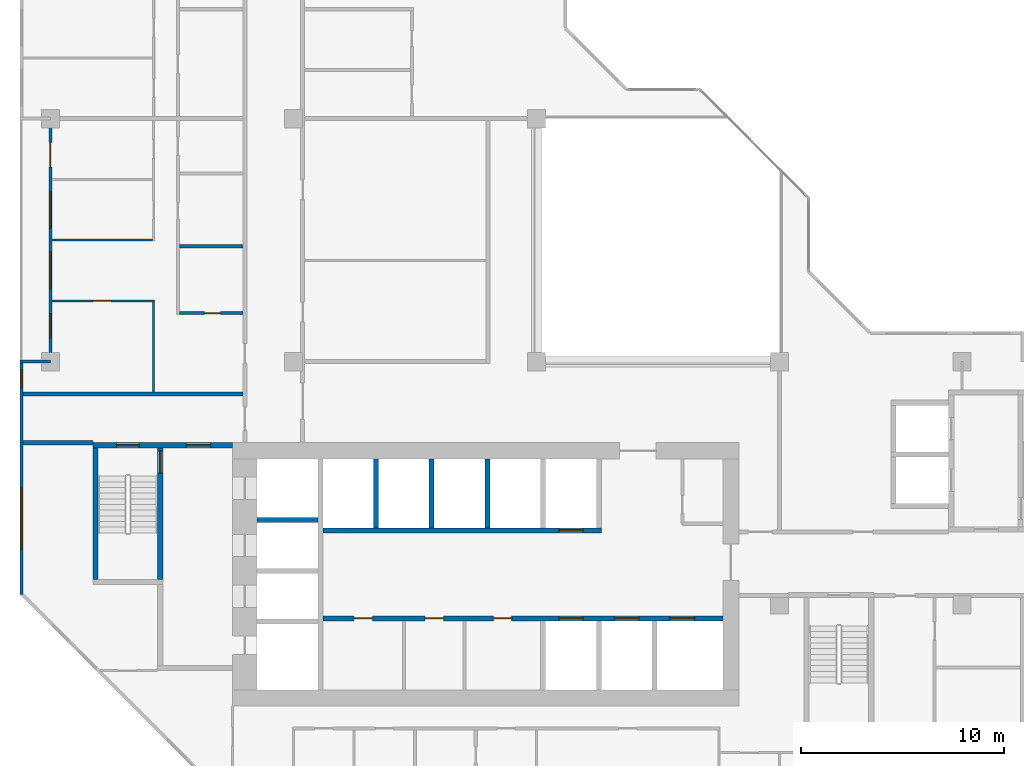
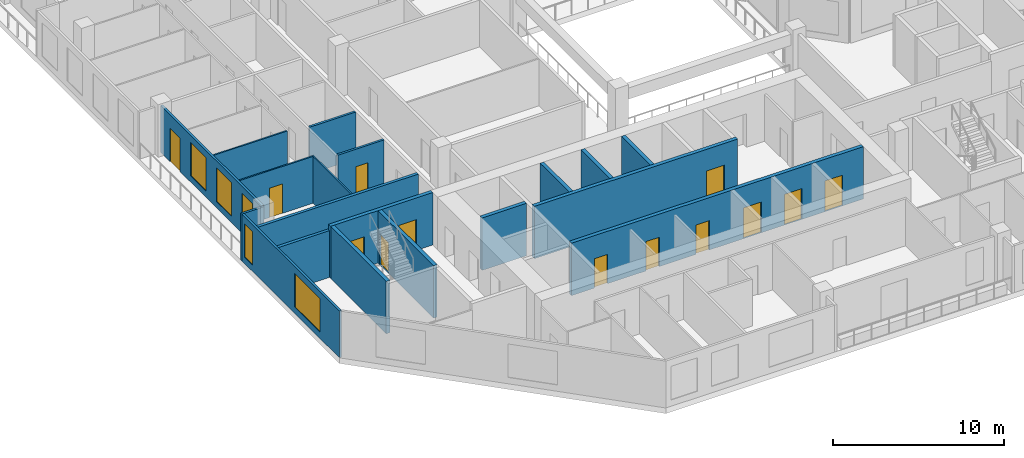
# One storey, part 5 of 15: 19 walls, 13 doors, 5 windows, 18 openings.
"""IFC4 building model written with IfcOpenShell, lengths in metres."""

import ifcopenshell
import ifcopenshell.guid

model = None  # the IFC model being written
_history = None  # IfcOwnerHistory: only IFC2X3 demands one
_inside = {}  # id of a spatial element -> (the spatial element, [elements in it])
_under = {}  # id of a project, library or spatial element -> (it, [spatial elements below it])
_declared = {}  # id of a project -> (the project, [libraries it declares])
_typed = {}  # id of a type object -> (the type object, [elements of that type])
_made_of = {}  # id of a material, layer set ... -> (it, [elements and type objects made of it])


def new_model(schema):
    """Start an empty IFC model of exactly this schema.

    Asked for "IFC4X3", IfcOpenShell would pick the latest addendum, in which some entities
    have other attributes; the version numbers below select the first issue.
    IFC2X3 requires an IfcOwnerHistory on every rooted entity: one is made here for all.
    """
    global model, _history
    if schema == "IFC4X3":
        model = ifcopenshell.file(schema_version=(4, 3, 0, 0))
    else:
        model = ifcopenshell.file(schema=schema)
    _inside.clear()
    _under.clear()
    _declared.clear()
    _typed.clear()
    _made_of.clear()
    _history = None
    if model.schema == "IFC2X3":
        org = make("IfcOrganization", Name="unknown")
        user = make(
            "IfcPersonAndOrganization",
            ThePerson=make("IfcPerson", FamilyName="unknown"),
            TheOrganization=org,
        )
        app = make(
            "IfcApplication",
            ApplicationDeveloper=org,
            Version="unknown",
            ApplicationFullName="unknown",
            ApplicationIdentifier="unknown",
        )
        _history = make(
            "IfcOwnerHistory",
            OwningUser=user,
            OwningApplication=app,
            ChangeAction="ADDED",
            CreationDate=0,
        )
    return model


def make(cls, **values):
    """One entity of the class cls with the attributes given. An attribute that is None is left unset."""
    return model.create_entity(
        cls, **{name: value for name, value in values.items() if value is not None}
    )


def rooted(cls, **values):
    """An entity with a GlobalId (a new one), such as an element, a storey or a relation."""
    return make(cls, GlobalId=ifcopenshell.guid.new(), OwnerHistory=_history, **values)


def si_unit(unit_type, name, prefix=None):
    """IfcSIUnit, for example si_unit("LENGTHUNIT", "METRE", prefix="MILLI")."""
    return make("IfcSIUnit", UnitType=unit_type, Prefix=prefix, Name=name)


def assignment(units):
    """IfcUnitAssignment: the units of a project."""
    return None if units is None else make("IfcUnitAssignment", Units=units)


def point(xyz):
    """IfcCartesianPoint."""
    return None if xyz is None else make("IfcCartesianPoint", Coordinates=xyz)


def direction(xyz):
    """IfcDirection."""
    return None if xyz is None else make("IfcDirection", DirectionRatios=xyz)


def frame(location, z_axis=None, x_axis=None):
    """IfcAxis2Placement3D, a coordinate frame: its origin and axes. An axis left out is left unset."""
    return make(
        "IfcAxis2Placement3D",
        Location=point(location),
        Axis=direction(z_axis),
        RefDirection=direction(x_axis),
    )


def frame_2d(location, x_axis=None):
    """IfcAxis2Placement2D, a coordinate frame in the plane: its origin and x axis."""
    return make(
        "IfcAxis2Placement2D", Location=point(location), RefDirection=direction(x_axis)
    )


def origin():
    """The frame at (0, 0, 0) with its axes left unset."""
    return frame((0.0, 0.0, 0.0))


def place(relative_to, where):
    """IfcLocalPlacement: puts the frame where relative to a parent placement (None: the world)."""
    return make(
        "IfcLocalPlacement", PlacementRelTo=relative_to, RelativePlacement=where
    )


def context(
    kind, dimensions, precision=None, world=None, true_north=None, identifier=None
):
    """IfcGeometricRepresentationContext, for example the 3D "Model" context."""
    return make(
        "IfcGeometricRepresentationContext",
        ContextIdentifier=identifier,
        ContextType=kind,
        CoordinateSpaceDimension=dimensions,
        Precision=precision,
        WorldCoordinateSystem=world,
        TrueNorth=true_north,
    )


def subcontext(parent, identifier, kind, view, scale=None):
    """IfcGeometricRepresentationSubContext, for example "Body" below "Model"."""
    return make(
        "IfcGeometricRepresentationSubContext",
        ContextIdentifier=identifier,
        ContextType=kind,
        ParentContext=parent,
        TargetScale=scale,
        TargetView=view,
    )


def project(units=None, contexts=None):
    """IfcProject with its units and contexts."""
    return rooted(
        "IfcProject",
        Name="project",
        RepresentationContexts=contexts,
        UnitsInContext=assignment(units),
    )


def spatial(cls, under=None, at=None, **own):
    """A site, building, storey or space (cls), placed at a placement, below another one or the project."""
    s = rooted(cls, ObjectPlacement=at, **own)
    if under is not None:
        _under.setdefault(under.id(), (under, []))[1].append(s)
    return s


def profile(cls, at=None, kind="AREA", **sizes):
    """A parametric profile (cls). Its sizes go by their IFC names, for example OverallWidth=200.0."""
    return make(cls, ProfileType=kind, Position=at, **sizes)


def rectangle(**sizes):
    """IfcRectangleProfileDef."""
    return profile("IfcRectangleProfileDef", **sizes)


def extrude(swept, where, along, depth):
    """IfcExtrudedAreaSolid: the profile swept, set in the frame where, extruded along a direction by depth."""
    return make(
        "IfcExtrudedAreaSolid",
        SweptArea=swept,
        Position=where,
        ExtrudedDirection=direction(along),
        Depth=depth,
    )


def shape(context_of_items, identifier, shape_type, items):
    """IfcShapeRepresentation: the items that make up one representation, for example the "Body"."""
    return make(
        "IfcShapeRepresentation",
        ContextOfItems=context_of_items,
        RepresentationIdentifier=identifier,
        RepresentationType=shape_type,
        Items=items,
    )


def material(Name=None, Category=None):
    """IfcMaterial."""
    return make("IfcMaterial", Name=Name, Category=Category)


def layer(
    of_material, thickness, ventilated=None, Name=None, Category=None, Priority=None
):
    """IfcMaterialLayer: one layer of a wall or slab, of a material (None: an air gap)."""
    return make(
        "IfcMaterialLayer",
        Material=of_material,
        LayerThickness=thickness,
        IsVentilated=ventilated,
        Name=Name,
        Category=Category,
        Priority=Priority,
    )


def layer_set(layers, Name=None):
    """IfcMaterialLayerSet."""
    return make("IfcMaterialLayerSet", MaterialLayers=layers, LayerSetName=Name)


def made_of(thing, what):
    """Note that an element or type object is made of a material, layer set ...; save() writes the relation."""
    if what is not None:
        _made_of.setdefault(what.id(), (what, []))[1].append(thing)
    return thing


def type_object(cls, material=None, **own):
    """A type object (cls), such as IfcWallType, which elements share."""
    return made_of(rooted(cls, **own), material)


def element(
    cls,
    number,
    at=None,
    inside=None,
    cuts=None,
    type_object=None,
    material=None,
    context=None,
    identifier="Body",
    shape_type=None,
    held_by="IfcProductDefinitionShape",
    body=None,
    shapes=None,
    **own,
):
    """One element of the class cls, such as IfcWall. Its Tag is "e" and its number.

    at: its placement. inside: the storey or other place that contains it. cuts: it is an
    opening in that element (IfcRelVoidsElement). A single representation is given by context,
    identifier, shape_type and body (its items); several are given by shapes. held_by: the class
    of the entity that holds the representations. save() writes the other relations.
    """
    e = rooted(cls, Tag="e%d" % number, ObjectPlacement=at, **own)
    if body is not None:
        shapes = [shape(context, identifier, shape_type, body)]
    if shapes is not None:
        e.Representation = make(held_by, Representations=shapes)
    if inside is not None:
        _inside.setdefault(inside.id(), (inside, []))[1].append(e)
    if cuts is not None:
        rooted(
            "IfcRelVoidsElement", RelatingBuildingElement=cuts, RelatedOpeningElement=e
        )
    if type_object is not None:
        _typed.setdefault(type_object.id(), (type_object, []))[1].append(e)
    return made_of(e, material)


def fill(opening, filler):
    """IfcRelFillsElement: the door or window that sits in an opening."""
    return rooted(
        "IfcRelFillsElement",
        RelatingOpeningElement=opening,
        RelatedBuildingElement=filler,
    )


def aggregate(whole, parts):
    """IfcRelAggregates: a whole, such as a stair, and the parts it consists of."""
    return rooted("IfcRelAggregates", RelatingObject=whole, RelatedObjects=parts)


def save(model, path):
    """Write the relations noted so far, then the file.

    IfcRelAggregates (storeys below a building ...), IfcRelContainedInSpatialStructure (elements
    in a storey), IfcRelDefinesByType, IfcRelAssociatesMaterial and IfcRelDeclares: one each for
    every whole, place, type object, material and project.
    """
    for whole, parts in _under.values():
        aggregate(whole, parts)
    for where, things in _inside.values():
        rooted(
            "IfcRelContainedInSpatialStructure",
            RelatedElements=things,
            RelatingStructure=where,
        )
    for kind, things in _typed.values():
        rooted("IfcRelDefinesByType", RelatedObjects=things, RelatingType=kind)
    for what, things in _made_of.values():
        rooted("IfcRelAssociatesMaterial", RelatedObjects=things, RelatingMaterial=what)
    for by, libraries in _declared.values():
        rooted("IfcRelDeclares", RelatingContext=by, RelatedDefinitions=libraries)
    model.write(path)


model = new_model("IFC4")

# Units and contexts
model_context = context("Model", 3, precision=1e-05, world=origin(), true_north=direction((0.0, 1.0)))
body_context = subcontext(model_context, "Body", "Model", "MODEL_VIEW")
ifc_project = project(units=[si_unit("LENGTHUNIT", "METRE"), si_unit("AREAUNIT", "SQUARE_METRE"), si_unit("VOLUMEUNIT", "CUBIC_METRE"), si_unit("PLANEANGLEUNIT", "RADIAN"), si_unit("MASSUNIT", "GRAM", prefix="KILO")], contexts=[model_context])

# Site, building, storey
site_placement = place(None, origin())
site = spatial("IfcSite", under=ifc_project, at=site_placement, CompositionType="ELEMENT")
building_placement = place(site_placement, origin())
building = spatial("IfcBuilding", under=site, at=building_placement, Name="Chenar Terraces", CompositionType="ELEMENT")
storey_placement = place(building_placement, frame((0.0, 0.0, 176.14990234375)))
storey = spatial("IfcBuildingStorey", under=building, at=storey_placement, Name="L40", CompositionType="ELEMENT", Elevation=176.14990234375)

# Wall, openings, doors
ifc_material_1 = material(Name="Concrete C60/75", Category="concrete")
ifc_layer_1 = layer(ifc_material_1, 0.25)
ifc_layer_set_1 = layer_set([ifc_layer_1], Name="Concrete C60/75")
wall_type_1 = type_object("IfcWallType", Name="Core wall 250 Concrete C60/75", PredefinedType="SHEAR", material=ifc_layer_set_1)
wall_1_placement = place(storey_placement, frame((13.449951171875, 11.324951171875, 0.0), z_axis=(0.0, 0.0, 1.0), x_axis=(1.0, 0.0, 0.0)))
wall_1 = element("IfcWall", 1, at=wall_1_placement, inside=storey, type_object=wall_type_1, Name="Core wall SF L40", PredefinedType="SHEAR", context=body_context, shape_type="SweptSolid", body=[
    extrude(rectangle(XDim=19.75, YDim=0.25, at=frame_2d((9.875, 0.0))), origin(), (0.0, 0.0, 1.0), 3.75),
])
opening_1_placement = place(wall_1_placement, frame((11.64990234375, 0.0, 0.0)))
opening_1 = element("IfcOpeningElement", 2, at=opening_1_placement, cuts=wall_1, Name="Opening DL40-LD1", PredefinedType="OPENING", context=body_context, shape_type="SweptSolid", body=[
    extrude(rectangle(XDim=1.199951171875, YDim=2.199951171875, at=frame_2d((0.60009765625, 1.10009765625))), frame((0.0, 0.135009765625, 0.0), z_axis=(0.0, -1.0, 0.0), x_axis=(1.0, 0.0, 0.0)), (0.0, 0.0, 1.0), 0.27001953125),
])
opening_2_placement = place(wall_1_placement, frame((14.39990234375, 0.0, 0.0)))
opening_2 = element("IfcOpeningElement", 3, at=opening_2_placement, cuts=wall_1, Name="Opening DL40-LD2", PredefinedType="OPENING", context=body_context, shape_type="SweptSolid", body=[
    extrude(rectangle(XDim=1.199951171875, YDim=2.199951171875, at=frame_2d((0.60009765625, 1.10009765625))), frame((0.0, 0.135009765625, 0.0), z_axis=(0.0, -1.0, 0.0), x_axis=(1.0, 0.0, 0.0)), (0.0, 0.0, 1.0), 0.27001953125),
])
opening_3_placement = place(wall_1_placement, frame((17.14990234375, 0.0, 0.0)))
opening_3 = element("IfcOpeningElement", 4, at=opening_3_placement, cuts=wall_1, Name="Opening DL40-LD3", PredefinedType="OPENING", context=body_context, shape_type="SweptSolid", body=[
    extrude(rectangle(XDim=1.199951171875, YDim=2.199951171875, at=frame_2d((0.60009765625, 1.10009765625))), frame((0.0, 0.135009765625, 0.0), z_axis=(0.0, -1.0, 0.0), x_axis=(1.0, 0.0, 0.0)), (0.0, 0.0, 1.0), 0.27001953125),
])
opening_4_placement = place(wall_1_placement, frame((1.550048828125, 0.0, 0.0)))
opening_4 = element("IfcOpeningElement", 5, at=opening_4_placement, cuts=wall_1, Name="Opening DL40-C12", PredefinedType="OPENING", context=body_context, shape_type="SweptSolid", body=[
    extrude(rectangle(XDim=0.89990234375, YDim=2.10009765625, at=frame_2d((0.449951171875, 1.050048828125))), frame((0.0, 0.135009765625, 0.0), z_axis=(0.0, -1.0, 0.0), x_axis=(1.0, 0.0, 0.0)), (0.0, 0.0, 1.0), 0.27001953125),
])
opening_5_placement = place(wall_1_placement, frame((5.050048828125, 0.0, 0.0)))
opening_5 = element("IfcOpeningElement", 6, at=opening_5_placement, cuts=wall_1, Name="Opening DL40-C13", PredefinedType="OPENING", context=body_context, shape_type="SweptSolid", body=[
    extrude(rectangle(XDim=0.89990234375, YDim=2.10009765625, at=frame_2d((0.449951171875, 1.050048828125))), frame((0.0, 0.135009765625, 0.0), z_axis=(0.0, -1.0, 0.0), x_axis=(1.0, 0.0, 0.0)), (0.0, 0.0, 1.0), 0.27001953125),
])
opening_6_placement = place(wall_1_placement, frame((8.425048828125, 0.0, 0.0)))
opening_6 = element("IfcOpeningElement", 7, at=opening_6_placement, cuts=wall_1, Name="Opening DL40-C14", PredefinedType="OPENING", context=body_context, shape_type="SweptSolid", body=[
    extrude(rectangle(XDim=0.89990234375, YDim=2.10009765625, at=frame_2d((0.449951171875, 1.050048828125))), frame((0.0, 0.135009765625, 0.0), z_axis=(0.0, -1.0, 0.0), x_axis=(1.0, 0.0, 0.0)), (0.0, 0.0, 1.0), 0.27001953125),
])
ifc_material_2 = material(Name="Stainless steel", Category="steel")
door_type_1 = type_object("IfcDoorType", Name="Lift landing door 1200 x 2200 sliding", OperationType="DOUBLE_DOOR_SLIDING", PredefinedType="DOOR", material=ifc_material_2)
door_1_placement = place(opening_1_placement, origin())
door_1 = element("IfcDoor", 8, at=door_1_placement, inside=storey, type_object=door_type_1, Name="Landing door M1", OperationType="DOUBLE_DOOR_SLIDING", OverallHeight=2.199951171875, OverallWidth=1.199951171875, PredefinedType="DOOR", context=body_context, shape_type="SweptSolid", body=[
    extrude(rectangle(XDim=1.199951171875, YDim=2.199951171875, at=frame_2d((0.60009765625, 1.10009765625))), frame((0.0, 0.02490234375, 0.0), z_axis=(0.0, -1.0, 0.0), x_axis=(1.0, 0.0, 0.0)), (0.0, 0.0, 1.0), 0.050048828125),
])
fill(opening_1, door_1)
door_2_placement = place(opening_2_placement, origin())
door_2 = element("IfcDoor", 9, at=door_2_placement, inside=storey, type_object=door_type_1, Name="Landing door M2", OperationType="DOUBLE_DOOR_SLIDING", OverallHeight=2.199951171875, OverallWidth=1.199951171875, PredefinedType="DOOR", context=body_context, shape_type="SweptSolid", body=[
    extrude(rectangle(XDim=1.199951171875, YDim=2.199951171875, at=frame_2d((0.60009765625, 1.10009765625))), frame((0.0, 0.02490234375, 0.0), z_axis=(0.0, -1.0, 0.0), x_axis=(1.0, 0.0, 0.0)), (0.0, 0.0, 1.0), 0.050048828125),
])
fill(opening_2, door_2)
door_3_placement = place(opening_3_placement, origin())
door_3 = element("IfcDoor", 10, at=door_3_placement, inside=storey, type_object=door_type_1, Name="Landing door M3", OperationType="DOUBLE_DOOR_SLIDING", OverallHeight=2.199951171875, OverallWidth=1.199951171875, PredefinedType="DOOR", context=body_context, shape_type="SweptSolid", body=[
    extrude(rectangle(XDim=1.199951171875, YDim=2.199951171875, at=frame_2d((0.60009765625, 1.10009765625))), frame((0.0, 0.02490234375, 0.0), z_axis=(0.0, -1.0, 0.0), x_axis=(1.0, 0.0, 0.0)), (0.0, 0.0, 1.0), 0.050048828125),
])
fill(opening_3, door_3)
ifc_material_3 = material(Name="Steel-framed fire-resisting door leaf", Category="steel")
door_type_2 = type_object("IfcDoorType", Name="Riser fire door FD60 900 x 2100", OperationType="SINGLE_SWING_LEFT", PredefinedType="DOOR", material=ifc_material_3)
door_4_placement = place(opening_4_placement, frame((0.89990234375, 0.0, 0.0), z_axis=(0.0, 0.0, 1.0), x_axis=(-1.0, 0.0, 0.0)))
door_4 = element("IfcDoor", 11, at=door_4_placement, inside=storey, type_object=door_type_2, Name="Core room door DL40-C12", OperationType="SINGLE_SWING_LEFT", OverallHeight=2.10009765625, OverallWidth=0.89990234375, PredefinedType="DOOR", context=body_context, shape_type="SweptSolid", body=[
    extrude(rectangle(XDim=0.89990234375, YDim=2.10009765625, at=frame_2d((0.449951171875, 1.050048828125))), frame((0.0, 0.02490234375, 0.0), z_axis=(0.0, -1.0, 0.0), x_axis=(1.0, 0.0, 0.0)), (0.0, 0.0, 1.0), 0.050048828125),
])
fill(opening_4, door_4)
door_5_placement = place(opening_5_placement, frame((0.89990234375, 0.0, 0.0), z_axis=(0.0, 0.0, 1.0), x_axis=(-1.0, 0.0, 0.0)))
door_5 = element("IfcDoor", 12, at=door_5_placement, inside=storey, type_object=door_type_2, Name="Core room door DL40-C13", OperationType="SINGLE_SWING_LEFT", OverallHeight=2.10009765625, OverallWidth=0.89990234375, PredefinedType="DOOR", context=body_context, shape_type="SweptSolid", body=[
    extrude(rectangle(XDim=0.89990234375, YDim=2.10009765625, at=frame_2d((0.449951171875, 1.050048828125))), frame((0.0, 0.02490234375, 0.0), z_axis=(0.0, -1.0, 0.0), x_axis=(1.0, 0.0, 0.0)), (0.0, 0.0, 1.0), 0.050048828125),
])
fill(opening_5, door_5)
door_6_placement = place(opening_6_placement, frame((0.89990234375, 0.0, 0.0), z_axis=(0.0, 0.0, 1.0), x_axis=(-1.0, 0.0, 0.0)))
door_6 = element("IfcDoor", 13, at=door_6_placement, inside=storey, type_object=door_type_2, Name="Core room door DL40-C14", OperationType="SINGLE_SWING_RIGHT", OverallHeight=2.10009765625, OverallWidth=0.89990234375, PredefinedType="DOOR", context=body_context, shape_type="SweptSolid", body=[
    extrude(rectangle(XDim=0.89990234375, YDim=2.10009765625, at=frame_2d((0.449951171875, 1.050048828125))), frame((0.0, 0.02490234375, 0.0), z_axis=(0.0, -1.0, 0.0), x_axis=(1.0, 0.0, 0.0)), (0.0, 0.0, 1.0), 0.050048828125),
])
fill(opening_6, door_6)

# Wall, opening, door
wall_2_placement = place(storey_placement, frame((13.449951171875, 15.675048828125, 0.0), z_axis=(0.0, 0.0, 1.0), x_axis=(1.0, 0.0, 0.0)))
wall_2 = element("IfcWall", 14, at=wall_2_placement, inside=storey, type_object=wall_type_1, Name="Core wall NF L40", PredefinedType="SHEAR", context=body_context, shape_type="SweptSolid", body=[
    extrude(rectangle(XDim=13.75, YDim=0.25, at=frame_2d((6.875, 0.0))), origin(), (0.0, 0.0, 1.0), 3.75),
])
opening_7_placement = place(wall_2_placement, frame((11.64990234375, 0.0, 0.0)))
opening_7 = element("IfcOpeningElement", 15, at=opening_7_placement, cuts=wall_2, Name="Opening DL40-LD4", PredefinedType="OPENING", context=body_context, shape_type="SweptSolid", body=[
    extrude(rectangle(XDim=1.199951171875, YDim=2.199951171875, at=frame_2d((0.60009765625, 1.10009765625))), frame((0.0, 0.135009765625, 0.0), z_axis=(0.0, -1.0, 0.0), x_axis=(1.0, 0.0, 0.0)), (0.0, 0.0, 1.0), 0.27001953125),
])
door_7_placement = place(opening_7_placement, origin())
door_7 = element("IfcDoor", 16, at=door_7_placement, inside=storey, type_object=door_type_1, Name="Landing door M4", OperationType="DOUBLE_DOOR_SLIDING", OverallHeight=2.199951171875, OverallWidth=1.199951171875, PredefinedType="DOOR", context=body_context, shape_type="SweptSolid", body=[
    extrude(rectangle(XDim=1.199951171875, YDim=2.199951171875, at=frame_2d((0.60009765625, 1.10009765625))), frame((0.0, 0.02490234375, 0.0), z_axis=(0.0, -1.0, 0.0), x_axis=(1.0, 0.0, 0.0)), (0.0, 0.0, 1.0), 0.050048828125),
])
fill(opening_7, door_7)

# Walls
wall_3_placement = place(storey_placement, frame((10.199951171875, 16.175048828125, 0.0), z_axis=(0.0, 0.0, 1.0), x_axis=(1.0, 0.0, 0.0)))
element("IfcWall", 17, at=wall_3_placement, inside=storey, type_object=wall_type_1, Name="Core wall HW2 L40", PredefinedType="SHEAR", context=body_context, shape_type="SweptSolid", body=[
    extrude(rectangle(XDim=3.0, YDim=0.25, at=frame_2d((1.5, 0.0))), origin(), (0.0, 0.0, 1.0), 3.75),
])
for number, where, z_axis, x_axis, name in (
    (18, (16.074951171875, 15.800048828125, 0.0), (0.0, 0.0, 1.0), (0.0, 1.0, 0.0), "Core wall NS0 L40"),
    (19, (18.824951171875, 15.800048828125, 0.0), (0.0, 0.0, 1.0), (0.0, 1.0, 0.0), "Core wall NS1 L40"),
    (20, (21.574951171875, 15.800048828125, 0.0), (0.0, 0.0, 1.0), (0.0, 1.0, 0.0), "Core wall NS2 L40"),
):
    element("IfcWall", number, at=place(storey_placement, frame(where, z_axis=z_axis, x_axis=x_axis)), inside=storey, type_object=wall_type_1, Name=name, PredefinedType="SHEAR", context=body_context, shape_type="SweptSolid", body=[
        extrude(rectangle(XDim=3.39990234375, YDim=0.25, at=frame_2d((1.699951171875, 0.0))), origin(), (0.0, 0.0, 1.0), 3.75),
    ])

# Wall, openings, doors
wall_4_placement = place(storey_placement, frame((2.10009765625, 19.875, 0.0), z_axis=(0.0, 0.0, 1.0), x_axis=(1.0, 0.0, 0.0)))
wall_4 = element("IfcWall", 21, at=wall_4_placement, inside=storey, type_object=wall_type_1, Name="Core wall A_N L40", PredefinedType="SHEAR", context=body_context, shape_type="SweptSolid", body=[
    extrude(rectangle(XDim=6.89990234375, YDim=0.25, at=frame_2d((3.449951171875, 0.0))), origin(), (0.0, 0.0, 1.0), 3.75),
])
opening_8_placement = place(wall_4_placement, frame((1.175048828125, 0.0, 0.0)))
opening_8 = element("IfcOpeningElement", 22, at=opening_8_placement, cuts=wall_4, Name="Opening DL40-C5", PredefinedType="OPENING", context=body_context, shape_type="SweptSolid", body=[
    extrude(rectangle(XDim=1.10009765625, YDim=2.199951171875, at=frame_2d((0.550048828125, 1.10009765625))), frame((0.0, 0.135009765625, 0.0), z_axis=(0.0, -1.0, 0.0), x_axis=(1.0, 0.0, 0.0)), (0.0, 0.0, 1.0), 0.27001953125),
])
opening_9_placement = place(wall_4_placement, frame((4.60009765625, 0.0, 0.0)))
opening_9 = element("IfcOpeningElement", 23, at=opening_9_placement, cuts=wall_4, Name="Opening DL40-C6", PredefinedType="OPENING", context=body_context, shape_type="SweptSolid", body=[
    extrude(rectangle(XDim=1.199951171875, YDim=2.199951171875, at=frame_2d((0.60009765625, 1.10009765625))), frame((0.0, 0.135009765625, 0.0), z_axis=(0.0, -1.0, 0.0), x_axis=(1.0, 0.0, 0.0)), (0.0, 0.0, 1.0), 0.27001953125),
])
ifc_material_4 = material(Name="Steel-framed fire-resisting door leaf", Category="steel")
door_type_3 = type_object("IfcDoorType", Name="Lobby fire door FD60 1200 x 2200", OperationType="SINGLE_SWING_LEFT", PredefinedType="DOOR", material=ifc_material_4)
door_8_placement = place(opening_9_placement, frame((1.199951171875, 0.0, 0.0), z_axis=(0.0, 0.0, 1.0), x_axis=(-1.0, 0.0, 0.0)))
door_8 = element("IfcDoor", 24, at=door_8_placement, inside=storey, type_object=door_type_3, Name="Core door DL40-C6", OperationType="SINGLE_SWING_LEFT", OverallHeight=2.199951171875, OverallWidth=1.199951171875, PredefinedType="DOOR", context=body_context, shape_type="SweptSolid", body=[
    extrude(rectangle(XDim=1.199951171875, YDim=2.199951171875, at=frame_2d((0.60009765625, 1.10009765625))), frame((0.0, 0.02490234375, 0.0), z_axis=(0.0, -1.0, 0.0), x_axis=(1.0, 0.0, 0.0)), (0.0, 0.0, 1.0), 0.050048828125),
])
fill(opening_9, door_8)
ifc_material_5 = material(Name="Steel-framed fire-resisting door leaf", Category="steel")
door_type_4 = type_object("IfcDoorType", Name="Stair fire door FD60 1100 x 2200", OperationType="SINGLE_SWING_LEFT", PredefinedType="DOOR", material=ifc_material_5)
door_9_placement = place(opening_8_placement, origin())
door_9 = element("IfcDoor", 25, at=door_9_placement, inside=storey, type_object=door_type_4, Name="Stair door DL40-C5", OperationType="SINGLE_SWING_LEFT", OverallHeight=2.199951171875, OverallWidth=1.10009765625, PredefinedType="DOOR", context=body_context, shape_type="SweptSolid", body=[
    extrude(rectangle(XDim=1.10009765625, YDim=2.199951171875, at=frame_2d((0.550048828125, 1.10009765625))), frame((0.0, 0.02490234375, 0.0), z_axis=(0.0, -1.0, 0.0), x_axis=(1.0, 0.0, 0.0)), (0.0, 0.0, 1.0), 0.050048828125),
])
fill(opening_8, door_9)

# Wall
wall_5_placement = place(storey_placement, frame((2.22509765625, 13.25, 0.0), z_axis=(0.0, 0.0, 1.0), x_axis=(0.0, 1.0, 0.0)))
element("IfcWall", 26, at=wall_5_placement, inside=storey, type_object=wall_type_1, Name="Core wall ST1_W L40", PredefinedType="SHEAR", context=body_context, shape_type="SweptSolid", body=[
    extrude(rectangle(XDim=6.5, YDim=0.25, at=frame_2d((3.25, 0.0))), origin(), (0.0, 0.0, 1.0), 3.75),
])

# Wall, opening, door
wall_6_placement = place(storey_placement, frame((5.425048828125, 13.25, 0.0), z_axis=(0.0, 0.0, 1.0), x_axis=(0.0, 1.0, 0.0)))
wall_6 = element("IfcWall", 27, at=wall_6_placement, inside=storey, type_object=wall_type_1, Name="Core wall ST1_E L40", PredefinedType="SHEAR", context=body_context, shape_type="SweptSolid", body=[
    extrude(rectangle(XDim=6.5, YDim=0.25, at=frame_2d((3.25, 0.0))), origin(), (0.0, 0.0, 1.0), 3.75),
])
opening_10_placement = place(wall_6_placement, frame((5.25, 0.0, 0.0)))
opening_10 = element("IfcOpeningElement", 28, at=opening_10_placement, cuts=wall_6, Name="Opening DL40-C3", PredefinedType="OPENING", context=body_context, shape_type="SweptSolid", body=[
    extrude(rectangle(XDim=1.10009765625, YDim=2.199951171875, at=frame_2d((0.550048828125, 1.10009765625))), frame((0.0, 0.135009765625, 0.0), z_axis=(0.0, -1.0, 0.0), x_axis=(1.0, 0.0, 0.0)), (0.0, 0.0, 1.0), 0.27001953125),
])
door_10_placement = place(opening_10_placement, origin())
door_10 = element("IfcDoor", 29, at=door_10_placement, inside=storey, type_object=door_type_4, Name="Stair door DL40-C3", OperationType="SINGLE_SWING_RIGHT", OverallHeight=2.199951171875, OverallWidth=1.10009765625, PredefinedType="DOOR", context=body_context, shape_type="SweptSolid", body=[
    extrude(rectangle(XDim=1.10009765625, YDim=2.199951171875, at=frame_2d((0.550048828125, 1.10009765625))), frame((0.0, 0.02490234375, 0.0), z_axis=(0.0, -1.0, 0.0), x_axis=(1.0, 0.0, 0.0)), (0.0, 0.0, 1.0), 0.050048828125),
])
fill(opening_10, door_10)

# Walls
ifc_material_6 = material(Name="Gypsum board on steel studs with fire boards", Category="steel")
ifc_layer_2 = layer(ifc_material_6, 0.199951171875)
ifc_layer_set_2 = layer_set([ifc_layer_2], Name="Gypsum board on steel studs with fire boards")
wall_type_2 = type_object("IfcWallType", Name="Corridor wall 200", PredefinedType="PARTITIONING", material=ifc_layer_set_2)
wall_7_placement = place(storey_placement, frame((-1.35009765625, 20.0, 0.0), z_axis=(0.0, 0.0, 1.0), x_axis=(1.0, 0.0, 0.0)))
element("IfcWall", 30, at=wall_7_placement, inside=storey, type_object=wall_type_2, Name="Partition L40-002", PredefinedType="PARTITIONING", context=body_context, shape_type="SweptSolid", body=[
    extrude(rectangle(XDim=3.4501953125, YDim=0.199951171875, at=frame_2d((1.72509765625, 0.0))), origin(), (0.0, 0.0, 1.0), 3.35009765625),
])
wall_8_placement = place(storey_placement, frame((-1.35009765625, 22.39990234375, 0.0), z_axis=(0.0, 0.0, 1.0), x_axis=(1.0, 0.0, 0.0)))
element("IfcWall", 31, at=wall_8_placement, inside=storey, type_object=wall_type_2, Name="Partition L40-003", PredefinedType="PARTITIONING", context=body_context, shape_type="SweptSolid", body=[
    extrude(rectangle(XDim=10.85009765625, YDim=0.199951171875, at=frame_2d((5.425048828125, 0.0))), origin(), (0.0, 0.0, 1.0), 3.35009765625),
])

# Wall, openings, windows
ifc_material_7 = material(Name="Aluminium framed glazing", Category="aluminium")
ifc_layer_3 = layer(ifc_material_7, 0.14990234375)
ifc_layer_set_3 = layer_set([ifc_layer_3], Name="Aluminium framed glazing")
wall_type_3 = type_object("IfcWallType", Name="Glazed flush facade wall 150", PredefinedType="SOLIDWALL", material=ifc_layer_set_3)
wall_9_placement = place(storey_placement, frame((-1.425048828125, 23.925048828125, 0.0), z_axis=(0.0, 0.0, 1.0), x_axis=(0.0, -1.0, 0.0)))
wall_9 = element("IfcWall", 32, at=wall_9_placement, inside=storey, type_object=wall_type_3, Name="Glazed flush facade wall", PredefinedType="SOLIDWALL", context=body_context, shape_type="SweptSolid", body=[
    extrude(rectangle(XDim=11.425048828125, YDim=0.14990234375, at=frame_2d((5.71240234375, 0.0))), origin(), (0.0, 0.0, 1.0), 3.35009765625),
])
opening_11_placement = place(wall_9_placement, frame((0.3125, 0.0, 0.449951171875)))
opening_11 = element("IfcOpeningElement", 33, at=opening_11_placement, cuts=wall_9, Name="Opening W90x240", PredefinedType="OPENING", context=body_context, shape_type="SweptSolid", body=[
    extrude(rectangle(XDim=0.89990234375, YDim=2.39990234375, at=frame_2d((0.449951171875, 1.199951171875))), frame((0.0, 0.0849609375, 0.0), z_axis=(0.0, -1.0, 0.0), x_axis=(1.0, 0.0, 0.0)), (0.0, 0.0, 1.0), 0.169921875),
])
opening_12_placement = place(wall_9_placement, frame((6.175048828125, 0.0, 0.449951171875)))
opening_12 = element("IfcOpeningElement", 34, at=opening_12_placement, cuts=wall_9, Name="Opening W300x240", PredefinedType="OPENING", context=body_context, shape_type="SweptSolid", body=[
    extrude(rectangle(XDim=3.0, YDim=2.39990234375, at=frame_2d((1.5, 1.199951171875))), frame((0.0, 0.0849609375, 0.0), z_axis=(0.0, -1.0, 0.0), x_axis=(1.0, 0.0, 0.0)), (0.0, 0.0, 1.0), 0.169921875),
])
ifc_material_8 = material(Name="Low emissivity double glazing, aluminium frame", Category="aluminium")
window_type_1 = type_object("IfcWindowType", Name="Fixed light 3000 x 2400", PartitioningType="SINGLE_PANEL", PredefinedType="WINDOW", material=ifc_material_8)
window_1_placement = place(opening_12_placement, origin())
window_1 = element("IfcWindow", 35, at=window_1_placement, inside=storey, type_object=window_type_1, Name="Window", OverallHeight=2.39990234375, OverallWidth=3.0, PartitioningType="SINGLE_PANEL", PredefinedType="WINDOW", context=body_context, shape_type="SweptSolid", body=[
    extrude(rectangle(XDim=3.0, YDim=2.39990234375, at=frame_2d((1.5, 1.199951171875))), frame((0.0, 0.030029296875, 0.0), z_axis=(0.0, -1.0, 0.0), x_axis=(1.0, 0.0, 0.0)), (0.0, 0.0, 1.0), 0.06005859375),
])
fill(opening_12, window_1)
ifc_material_9 = material(Name="Low emissivity double glazing, aluminium frame", Category="aluminium")
window_type_2 = type_object("IfcWindowType", Name="Fixed light 900 x 2400", PartitioningType="SINGLE_PANEL", PredefinedType="WINDOW", material=ifc_material_9)
window_2_placement = place(opening_11_placement, origin())
window_2 = element("IfcWindow", 36, at=window_2_placement, inside=storey, type_object=window_type_2, Name="Window", OverallHeight=2.39990234375, OverallWidth=0.89990234375, PartitioningType="SINGLE_PANEL", PredefinedType="WINDOW", context=body_context, shape_type="SweptSolid", body=[
    extrude(rectangle(XDim=0.89990234375, YDim=2.39990234375, at=frame_2d((0.449951171875, 1.199951171875))), frame((0.0, 0.030029296875, 0.0), z_axis=(0.0, -1.0, 0.0), x_axis=(1.0, 0.0, 0.0)), (0.0, 0.0, 1.0), 0.06005859375),
])
fill(opening_11, window_2)

# Wall, openings, windows, door
ifc_material_10 = material(Name="Aluminium framed glazing", Category="aluminium")
ifc_layer_4 = layer(ifc_material_10, 0.14990234375)
ifc_layer_set_4 = layer_set([ifc_layer_4], Name="Aluminium framed glazing")
wall_type_4 = type_object("IfcWallType", Name="Glazed loggia back wall 150", PredefinedType="SOLIDWALL", material=ifc_layer_set_4)
wall_10_placement = place(storey_placement, frame((0.0, 35.925048828125, 0.0), z_axis=(0.0, 0.0, 1.0), x_axis=(0.0, -1.0, 0.0)))
wall_10 = element("IfcWall", 37, at=wall_10_placement, inside=storey, type_object=wall_type_4, Name="Glazed loggia back wall", PredefinedType="SOLIDWALL", context=body_context, shape_type="SweptSolid", body=[
    extrude(rectangle(XDim=11.85009765625, YDim=0.14990234375, at=frame_2d((5.925048828125, 0.0))), origin(), (0.0, 0.0, 1.0), 3.35009765625),
])
opening_13_placement = place(wall_10_placement, frame((1.10009765625, 0.0, 0.0)))
opening_13 = element("IfcOpeningElement", 38, at=opening_13_placement, cuts=wall_10, Name="Opening DL40-G5", PredefinedType="OPENING", context=body_context, shape_type="SweptSolid", body=[
    extrude(rectangle(XDim=1.199951171875, YDim=2.39990234375, at=frame_2d((0.60009765625, 1.199951171875))), frame((0.0, 0.0849609375, 0.0), z_axis=(0.0, -1.0, 0.0), x_axis=(1.0, 0.0, 0.0)), (0.0, 0.0, 1.0), 0.169921875),
])
opening_14_placement = place(wall_10_placement, frame((3.52490234375, 0.0, 0.449951171875)))
opening_14 = element("IfcOpeningElement", 39, at=opening_14_placement, cuts=wall_10, Name="Opening W180x240", PredefinedType="OPENING", context=body_context, shape_type="SweptSolid", body=[
    extrude(rectangle(XDim=1.800048828125, YDim=2.39990234375, at=frame_2d((0.89990234375, 1.199951171875))), frame((0.0, 0.0849609375, 0.0), z_axis=(0.0, -1.0, 0.0), x_axis=(1.0, 0.0, 0.0)), (0.0, 0.0, 1.0), 0.169921875),
])
opening_15_placement = place(wall_10_placement, frame((6.52490234375, 0.0, 0.449951171875)))
opening_15 = element("IfcOpeningElement", 40, at=opening_15_placement, cuts=wall_10, Name="Opening W180x240", PredefinedType="OPENING", context=body_context, shape_type="SweptSolid", body=[
    extrude(rectangle(XDim=1.800048828125, YDim=2.39990234375, at=frame_2d((0.89990234375, 1.199951171875))), frame((0.0, 0.0849609375, 0.0), z_axis=(0.0, -1.0, 0.0), x_axis=(1.0, 0.0, 0.0)), (0.0, 0.0, 1.0), 0.169921875),
])
opening_16_placement = place(wall_10_placement, frame((9.550048828125, 0.0, 0.449951171875)))
opening_16 = element("IfcOpeningElement", 41, at=opening_16_placement, cuts=wall_10, Name="Opening W120x240", PredefinedType="OPENING", context=body_context, shape_type="SweptSolid", body=[
    extrude(rectangle(XDim=1.199951171875, YDim=2.39990234375, at=frame_2d((0.60009765625, 1.199951171875))), frame((0.0, 0.0849609375, 0.0), z_axis=(0.0, -1.0, 0.0), x_axis=(1.0, 0.0, 0.0)), (0.0, 0.0, 1.0), 0.169921875),
])
ifc_material_11 = material(Name="Low emissivity double glazing, aluminium frame", Category="aluminium")
window_type_3 = type_object("IfcWindowType", Name="Fixed light 1200 x 2400", PartitioningType="SINGLE_PANEL", PredefinedType="WINDOW", material=ifc_material_11)
window_3_placement = place(opening_16_placement, origin())
window_3 = element("IfcWindow", 42, at=window_3_placement, inside=storey, type_object=window_type_3, Name="Window", OverallHeight=2.39990234375, OverallWidth=1.199951171875, PartitioningType="SINGLE_PANEL", PredefinedType="WINDOW", context=body_context, shape_type="SweptSolid", body=[
    extrude(rectangle(XDim=1.199951171875, YDim=2.39990234375, at=frame_2d((0.60009765625, 1.199951171875))), frame((0.0, 0.030029296875, 0.0), z_axis=(0.0, -1.0, 0.0), x_axis=(1.0, 0.0, 0.0)), (0.0, 0.0, 1.0), 0.06005859375),
])
fill(opening_16, window_3)
ifc_material_12 = material(Name="Low emissivity double glazing, aluminium frame", Category="aluminium")
window_type_4 = type_object("IfcWindowType", Name="Fixed light 1800 x 2400", PartitioningType="SINGLE_PANEL", PredefinedType="WINDOW", material=ifc_material_12)
window_4_placement = place(opening_14_placement, origin())
window_4 = element("IfcWindow", 43, at=window_4_placement, inside=storey, type_object=window_type_4, Name="Window", OverallHeight=2.39990234375, OverallWidth=1.800048828125, PartitioningType="SINGLE_PANEL", PredefinedType="WINDOW", context=body_context, shape_type="SweptSolid", body=[
    extrude(rectangle(XDim=1.800048828125, YDim=2.39990234375, at=frame_2d((0.89990234375, 1.199951171875))), frame((0.0, 0.030029296875, 0.0), z_axis=(0.0, -1.0, 0.0), x_axis=(1.0, 0.0, 0.0)), (0.0, 0.0, 1.0), 0.06005859375),
])
fill(opening_14, window_4)
window_5_placement = place(opening_15_placement, origin())
window_5 = element("IfcWindow", 44, at=window_5_placement, inside=storey, type_object=window_type_4, Name="Window", OverallHeight=2.39990234375, OverallWidth=1.800048828125, PartitioningType="SINGLE_PANEL", PredefinedType="WINDOW", context=body_context, shape_type="SweptSolid", body=[
    extrude(rectangle(XDim=1.800048828125, YDim=2.39990234375, at=frame_2d((0.89990234375, 1.199951171875))), frame((0.0, 0.030029296875, 0.0), z_axis=(0.0, -1.0, 0.0), x_axis=(1.0, 0.0, 0.0)), (0.0, 0.0, 1.0), 0.06005859375),
])
fill(opening_15, window_5)
ifc_material_13 = material(Name="Low emissivity double glazing, aluminium frame", Category="aluminium")
door_type_5 = type_object("IfcDoorType", Name="Loggia glazed double door 1200 x 2400", OperationType="DOUBLE_DOOR_SINGLE_SWING", PredefinedType="DOOR", material=ifc_material_13)
door_11_placement = place(opening_13_placement, frame((1.199951171875, 0.0, 0.0), z_axis=(0.0, 0.0, 1.0), x_axis=(-1.0, 0.0, 0.0)))
door_11 = element("IfcDoor", 45, at=door_11_placement, inside=storey, type_object=door_type_5, Name="Loggia glazed door", OperationType="DOUBLE_DOOR_SINGLE_SWING", OverallHeight=2.39990234375, OverallWidth=1.199951171875, PredefinedType="DOOR", context=body_context, shape_type="SweptSolid", body=[
    extrude(rectangle(XDim=1.199951171875, YDim=2.39990234375, at=frame_2d((0.60009765625, 1.199951171875))), frame((0.0, 0.02490234375, 0.0), z_axis=(0.0, -1.0, 0.0), x_axis=(1.0, 0.0, 0.0)), (0.0, 0.0, 1.0), 0.050048828125),
])
fill(opening_13, door_11)

# Wall, opening, door
ifc_material_14 = material(Name="Gypsum board on steel studs", Category="steel")
ifc_layer_5 = layer(ifc_material_14, 0.10009765625)
ifc_layer_set_5 = layer_set([ifc_layer_5], Name="Gypsum board on steel studs")
wall_type_5 = type_object("IfcWallType", Name="Gypsum partition 100", PredefinedType="PARTITIONING", material=ifc_layer_set_5)
wall_11_placement = place(storey_placement, frame((0.073974609375, 27.0, 0.0), z_axis=(0.0, 0.0, 1.0), x_axis=(1.0, 0.0, 0.0)))
wall_11 = element("IfcWall", 46, at=wall_11_placement, inside=storey, type_object=wall_type_5, Name="Partition L40-008", PredefinedType="PARTITIONING", context=body_context, shape_type="SweptSolid", body=[
    extrude(rectangle(XDim=5.075927734375, YDim=0.10009765625, at=frame_2d((2.5380859375, 0.0))), origin(), (0.0, 0.0, 1.0), 3.35009765625),
])
opening_17_placement = place(wall_11_placement, frame((2.02587890625, 0.0, 0.0)))
opening_17 = element("IfcOpeningElement", 47, at=opening_17_placement, cuts=wall_11, Name="Opening DL40-58", PredefinedType="OPENING", context=body_context, shape_type="SweptSolid", body=[
    extrude(rectangle(XDim=0.89990234375, YDim=2.10009765625, at=frame_2d((0.449951171875, 1.050048828125))), frame((0.0, 0.06005859375, 0.0), z_axis=(0.0, -1.0, 0.0), x_axis=(1.0, 0.0, 0.0)), (0.0, 0.0, 1.0), 0.1201171875),
])
ifc_material_15 = material(Name="Veneered timber door leaf", Category="wood")
door_type_6 = type_object("IfcDoorType", Name="Door 900 x 2100", OperationType="SINGLE_SWING_LEFT", PredefinedType="DOOR", material=ifc_material_15)
door_12_placement = place(opening_17_placement, frame((0.89990234375, 0.0, 0.0), z_axis=(0.0, 0.0, 1.0), x_axis=(-1.0, 0.0, 0.0)))
door_12 = element("IfcDoor", 48, at=door_12_placement, inside=storey, type_object=door_type_6, Name="Door DL40-58", OperationType="SINGLE_SWING_LEFT", OverallHeight=2.10009765625, OverallWidth=0.89990234375, PredefinedType="DOOR", context=body_context, shape_type="SweptSolid", body=[
    extrude(rectangle(XDim=0.89990234375, YDim=2.10009765625, at=frame_2d((0.449951171875, 1.050048828125))), frame((0.0, 0.02490234375, 0.0), z_axis=(0.0, -1.0, 0.0), x_axis=(1.0, 0.0, 0.0)), (0.0, 0.0, 1.0), 0.050048828125),
])
fill(opening_17, door_12)

# Walls
wall_12_placement = place(storey_placement, frame((0.073974609375, 30.0, 0.0), z_axis=(0.0, 0.0, 1.0), x_axis=(1.0, 0.0, 0.0)))
element("IfcWall", 49, at=wall_12_placement, inside=storey, type_object=wall_type_5, Name="Partition L40-009", PredefinedType="PARTITIONING", context=body_context, shape_type="SweptSolid", body=[
    extrude(rectangle(XDim=4.97607421875, YDim=0.10009765625, at=frame_2d((2.488037109375, 0.0))), origin(), (0.0, 0.0, 1.0), 3.35009765625),
])
wall_13_placement = place(storey_placement, frame((5.10009765625, 22.5, 0.0), z_axis=(0.0, 0.0, 1.0), x_axis=(0.0, 1.0, 0.0)))
element("IfcWall", 50, at=wall_13_placement, inside=storey, type_object=wall_type_5, Name="Partition L40-014", PredefinedType="PARTITIONING", context=body_context, shape_type="SweptSolid", body=[
    extrude(rectangle(XDim=4.449951171875, YDim=0.10009765625, at=frame_2d((2.22509765625, 0.0))), origin(), (0.0, 0.0, 1.0), 3.35009765625),
])
ifc_material_16 = material(Name="Terracotta cladding on insulated backing", Category="masonry")
ifc_layer_6 = layer(ifc_material_16, 0.14990234375)
ifc_layer_set_6 = layer_set([ifc_layer_6], Name="Terracotta cladding on insulated backing")
wall_type_6 = type_object("IfcWallType", Name="Loggia return wall 150", PredefinedType="SOLIDWALL", material=ifc_layer_set_6)
wall_14_placement = place(storey_placement, frame((-1.5, 24.0, 0.0), z_axis=(0.0, 0.0, 1.0), x_axis=(1.0, 0.0, 0.0)))
element("IfcWall", 51, at=wall_14_placement, inside=storey, type_object=wall_type_6, Name="Loggia return wall", PredefinedType="SOLIDWALL", context=body_context, shape_type="SweptSolid", body=[
    extrude(rectangle(XDim=1.5, YDim=0.14990234375, at=frame_2d((0.75, 0.0))), origin(), (0.0, 0.0, 1.0), 3.35009765625),
])

# Wall, opening, door
ifc_material_17 = material(Name="Moisture-resistant gypsum board on steel studs", Category="steel")
ifc_layer_7 = layer(ifc_material_17, 0.14990234375)
ifc_layer_set_7 = layer_set([ifc_layer_7], Name="Moisture-resistant gypsum board on steel studs")
wall_type_7 = type_object("IfcWallType", Name="Wet-room partition 150", PredefinedType="PARTITIONING", material=ifc_layer_set_7)
wall_15_placement = place(storey_placement, frame((6.375, 26.39990234375, 0.0), z_axis=(0.0, 0.0, 1.0), x_axis=(1.0, 0.0, 0.0)))
wall_15 = element("IfcWall", 52, at=wall_15_placement, inside=storey, type_object=wall_type_7, Name="Partition L40-020", PredefinedType="PARTITIONING", context=body_context, shape_type="SweptSolid", body=[
    extrude(rectangle(XDim=3.125, YDim=0.14990234375, at=frame_2d((1.5625, 0.0))), origin(), (0.0, 0.0, 1.0), 3.35009765625),
])
opening_18_placement = place(wall_15_placement, frame((1.22509765625, 0.0, 0.0)))
opening_18 = element("IfcOpeningElement", 53, at=opening_18_placement, cuts=wall_15, Name="Opening DL40-57", PredefinedType="OPENING", context=body_context, shape_type="SweptSolid", body=[
    extrude(rectangle(XDim=0.800048828125, YDim=2.10009765625, at=frame_2d((0.39990234375, 1.050048828125))), frame((0.0, 0.0849609375, 0.0), z_axis=(0.0, -1.0, 0.0), x_axis=(1.0, 0.0, 0.0)), (0.0, 0.0, 1.0), 0.169921875),
])
ifc_material_18 = material(Name="Veneered timber door leaf", Category="wood")
door_type_7 = type_object("IfcDoorType", Name="Door 800 x 2100", OperationType="SINGLE_SWING_LEFT", PredefinedType="DOOR", material=ifc_material_18)
door_13_placement = place(opening_18_placement, origin())
door_13 = element("IfcDoor", 54, at=door_13_placement, inside=storey, type_object=door_type_7, Name="Door DL40-57", OperationType="SINGLE_SWING_RIGHT", OverallHeight=2.10009765625, OverallWidth=0.800048828125, PredefinedType="DOOR", context=body_context, shape_type="SweptSolid", body=[
    extrude(rectangle(XDim=0.800048828125, YDim=2.10009765625, at=frame_2d((0.39990234375, 1.050048828125))), frame((0.0, 0.02490234375, 0.0), z_axis=(0.0, -1.0, 0.0), x_axis=(1.0, 0.0, 0.0)), (0.0, 0.0, 1.0), 0.050048828125),
])
fill(opening_18, door_13)

# Wall
wall_16_placement = place(storey_placement, frame((6.375, 29.699951171875, 0.0), z_axis=(0.0, 0.0, 1.0), x_axis=(1.0, 0.0, 0.0)))
element("IfcWall", 55, at=wall_16_placement, inside=storey, type_object=wall_type_7, Name="Partition L40-021", PredefinedType="PARTITIONING", context=body_context, shape_type="SweptSolid", body=[
    extrude(rectangle(XDim=3.125, YDim=0.14990234375, at=frame_2d((1.5625, 0.0))), origin(), (0.0, 0.0, 1.0), 3.35009765625),
])

save(model, "model.ifc")
